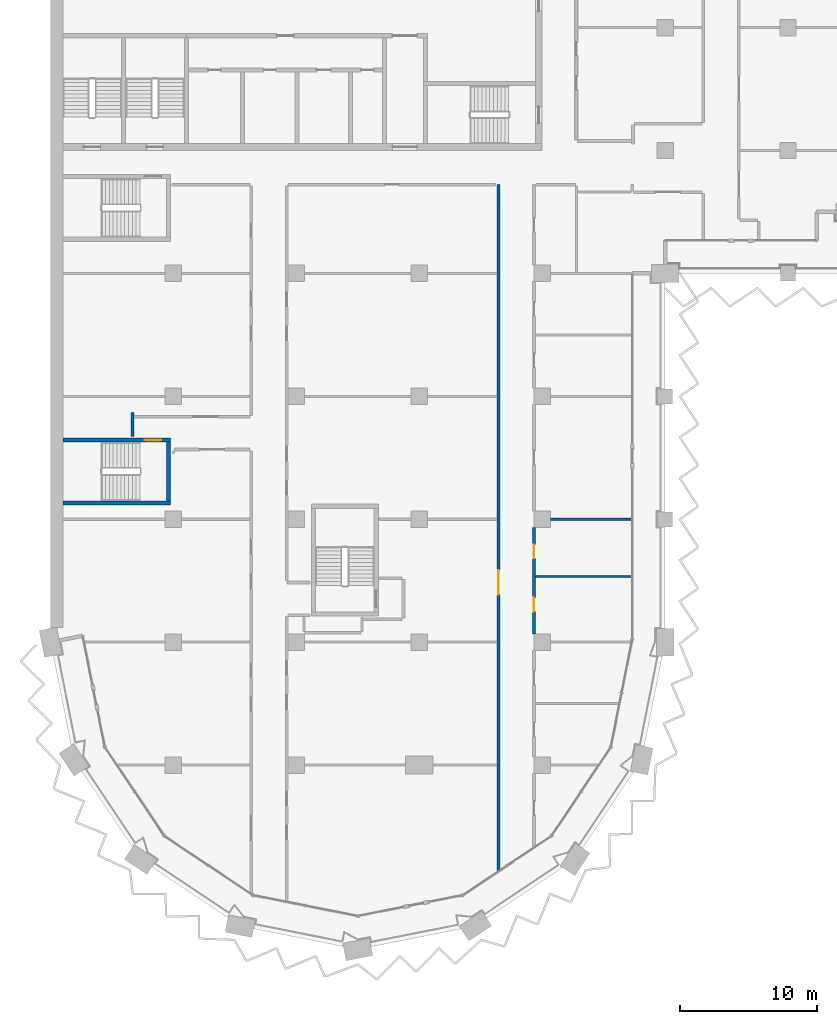
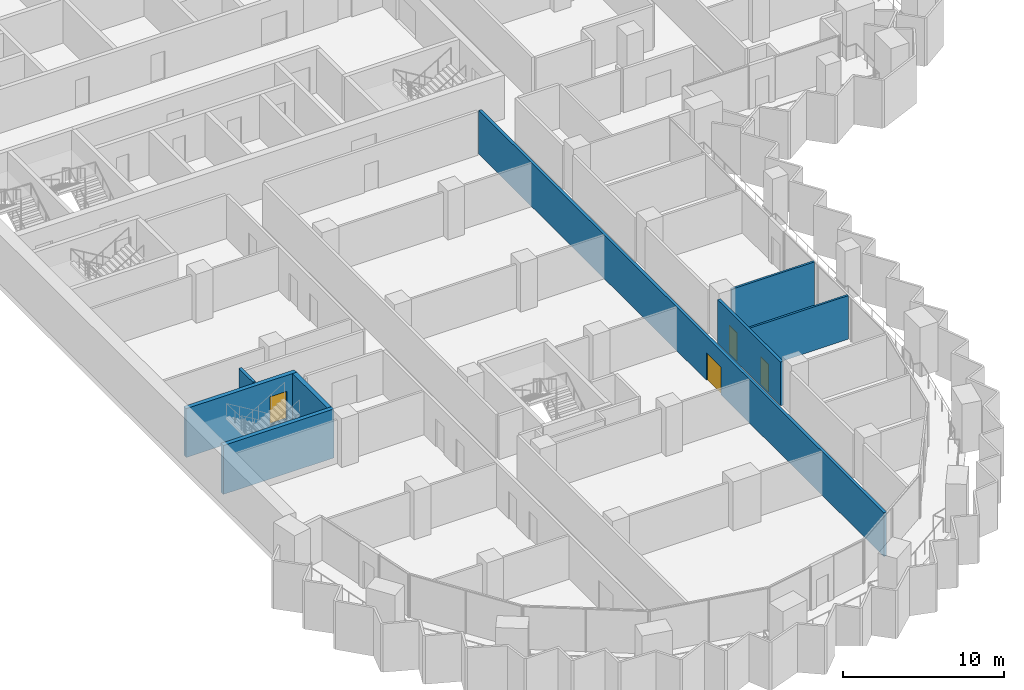
# One storey, part 9 of 22: 8 walls, 4 doors, 4 openings.
"""IFC4 building model written with IfcOpenShell, lengths in metres."""

from ifc_helpers import new_model, si_unit, direction, frame, frame_2d, origin, place, context, subcontext, project, spatial, rectangle, extrude, material, layer, layer_set, type_object, element, fill, save


model = new_model("IFC4")

# Units and contexts
model_context = context("Model", 3, precision=1e-05, world=origin(), true_north=direction((0.0, 1.0)))
body_context = subcontext(model_context, "Body", "Model", "MODEL_VIEW")
ifc_project = project(units=[si_unit("LENGTHUNIT", "METRE"), si_unit("AREAUNIT", "SQUARE_METRE"), si_unit("VOLUMEUNIT", "CUBIC_METRE"), si_unit("PLANEANGLEUNIT", "RADIAN"), si_unit("MASSUNIT", "GRAM", prefix="KILO")], contexts=[model_context])

# Site, building, storey
site_placement = place(None, origin())
site = spatial("IfcSite", under=ifc_project, at=site_placement, CompositionType="ELEMENT")
building_placement = place(site_placement, origin())
building = spatial("IfcBuilding", under=site, at=building_placement, Name="Hunhe Ridgeline Campus", CompositionType="ELEMENT")
storey_placement = place(building_placement, frame((0.0, 0.0, 133.800048828125)))
storey = spatial("IfcBuildingStorey", under=building, at=storey_placement, Name="L33", CompositionType="ELEMENT", Elevation=133.800048828125)

# Wall
ifc_material_1 = material(Name="Gypsum board partition")
ifc_layer_1 = layer(ifc_material_1, 0.199951171875)
ifc_layer_set_1 = layer_set([ifc_layer_1], Name="Corridor partition 200 gypsum board on steel studs")
wall_type_1 = type_object("IfcWallType", Name="Corridor partition 200 gypsum board on steel studs", PredefinedType="PARTITIONING", material=ifc_layer_set_1)
wall_1_placement = place(storey_placement, frame((6.0, 42.053955078125, 0.0), z_axis=(0.0, 0.0, 1.0), x_axis=(0.0, 1.0, 0.0)))
element("IfcWall", 1, at=wall_1_placement, inside=storey, type_object=wall_type_1, Name="F-L33-wall-059", PredefinedType="PARTITIONING", context=body_context, shape_type="SweptSolid", body=[
    extrude(rectangle(XDim=1.74609375, YDim=0.199951171875, at=frame_2d((0.873046875, 0.0))), origin(), (0.0, 0.0, 1.0), 3.300048828125),
])

# Wall, opening, door
wall_2_placement = place(storey_placement, frame((32.800048828125, 10.294189453125, 0.0), z_axis=(0.0, 0.0, 1.0), x_axis=(0.0, 1.0, 0.0)))
wall_2 = element("IfcWall", 2, at=wall_2_placement, inside=storey, type_object=wall_type_1, Name="F-L33-wall-068", PredefinedType="PARTITIONING", context=body_context, shape_type="SweptSolid", body=[
    extrude(rectangle(XDim=50.205810546875, YDim=0.199951171875, at=frame_2d((25.10302734375, 0.0))), origin(), (0.0, 0.0, 1.0), 3.300048828125),
])
opening_1_placement = place(wall_2_placement, frame((20.186279296875, 0.0, 0.0)))
opening_1 = element("IfcOpeningElement", 3, at=opening_1_placement, cuts=wall_2, Name="Opening RD2-012", PredefinedType="OPENING", context=body_context, shape_type="SweptSolid", body=[
    extrude(rectangle(XDim=1.800048828125, YDim=2.10009765625, at=frame_2d((0.89990234375, 1.050048828125))), frame((0.0, 0.10009765625, 0.0), z_axis=(0.0, -1.0, 0.0), x_axis=(1.0, 0.0, 0.0)), (0.0, 0.0, 1.0), 0.199951171875),
])
ifc_material_2 = material(Name="Timber door leaf", Category="wood")
door_type_1 = type_object("IfcDoorType", Name="Double fire door 1800x2100 timber FD60", OperationType="DOUBLE_DOOR_SINGLE_SWING", PredefinedType="DOOR", material=ifc_material_2)
door_1_placement = place(opening_1_placement, origin())
door_1 = element("IfcDoor", 4, at=door_1_placement, inside=storey, type_object=door_type_1, Name="F-L33-door-012", OperationType="DOUBLE_DOOR_SINGLE_SWING", OverallHeight=2.10009765625, OverallWidth=1.800048828125, PredefinedType="DOOR", context=body_context, shape_type="SweptSolid", body=[
    extrude(rectangle(XDim=1.800048828125, YDim=2.10009765625, at=frame_2d((0.89990234375, 1.050048828125))), frame((0.0, 0.02490234375, 0.0), z_axis=(0.0, -1.0, 0.0), x_axis=(1.0, 0.0, 0.0)), (0.0, 0.0, 1.0), 0.050048828125),
])
fill(opening_1, door_1)

# Wall, openings, doors
wall_3_placement = place(storey_placement, frame((35.39990234375, 35.39990234375, 0.0), z_axis=(0.0, 0.0, 1.0), x_axis=(0.0, -1.0, 0.0)))
wall_3 = element("IfcWall", 5, at=wall_3_placement, inside=storey, type_object=wall_type_1, Name="F-L33-wall-071", PredefinedType="PARTITIONING", context=body_context, shape_type="SweptSolid", body=[
    extrude(rectangle(XDim=7.7998046875, YDim=0.199951171875, at=frame_2d((3.89990234375, 0.0))), origin(), (0.0, 0.0, 1.0), 3.300048828125),
])
opening_2_placement = place(wall_3_placement, frame((5.161376953125, 0.0, 0.0)))
opening_2 = element("IfcOpeningElement", 6, at=opening_2_placement, cuts=wall_3, Name="Opening RD1-011", PredefinedType="OPENING", context=body_context, shape_type="SweptSolid", body=[
    extrude(rectangle(XDim=1.0, YDim=2.10009765625, at=frame_2d((0.5, 1.050048828125))), frame((0.0, 0.10009765625, 0.0), z_axis=(0.0, -1.0, 0.0), x_axis=(1.0, 0.0, 0.0)), (0.0, 0.0, 1.0), 0.199951171875),
])
opening_3_placement = place(wall_3_placement, frame((1.26123046875, 0.0, 0.0)))
opening_3 = element("IfcOpeningElement", 7, at=opening_3_placement, cuts=wall_3, Name="Opening RD1-014", PredefinedType="OPENING", context=body_context, shape_type="SweptSolid", body=[
    extrude(rectangle(XDim=1.0, YDim=2.10009765625, at=frame_2d((0.5, 1.050048828125))), frame((0.0, 0.10009765625, 0.0), z_axis=(0.0, -1.0, 0.0), x_axis=(1.0, 0.0, 0.0)), (0.0, 0.0, 1.0), 0.199951171875),
])
door_type_2 = type_object("IfcDoorType", Name="Single fire door 1000x2100 timber FD60", OperationType="NOTDEFINED", PredefinedType="DOOR", material=ifc_material_2)
door_2_placement = place(opening_2_placement, origin())
door_2 = element("IfcDoor", 8, at=door_2_placement, inside=storey, type_object=door_type_2, Name="F-L33-door-011", OperationType="SINGLE_SWING_LEFT", OverallHeight=2.10009765625, OverallWidth=1.0, PredefinedType="DOOR", context=body_context, shape_type="SweptSolid", body=[
    extrude(rectangle(XDim=1.0, YDim=2.10009765625, at=frame_2d((0.5, 1.050048828125))), frame((0.0, 0.02490234375, 0.0), z_axis=(0.0, -1.0, 0.0), x_axis=(1.0, 0.0, 0.0)), (0.0, 0.0, 1.0), 0.050048828125),
])
fill(opening_2, door_2)
door_3_placement = place(opening_3_placement, origin())
door_3 = element("IfcDoor", 9, at=door_3_placement, inside=storey, type_object=door_type_2, Name="F-L33-door-014", OperationType="SINGLE_SWING_LEFT", OverallHeight=2.10009765625, OverallWidth=1.0, PredefinedType="DOOR", context=body_context, shape_type="SweptSolid", body=[
    extrude(rectangle(XDim=1.0, YDim=2.10009765625, at=frame_2d((0.5, 1.050048828125))), frame((0.0, 0.02490234375, 0.0), z_axis=(0.0, -1.0, 0.0), x_axis=(1.0, 0.0, 0.0)), (0.0, 0.0, 1.0), 0.050048828125),
])
fill(opening_3, door_3)

# Walls
ifc_layer_2 = layer(ifc_material_1, 0.14990234375)
ifc_layer_set_2 = layer_set([ifc_layer_2], Name="Room partition 150 gypsum board on steel studs")
wall_type_2 = type_object("IfcWallType", Name="Room partition 150 gypsum board on steel studs", PredefinedType="PARTITIONING", material=ifc_layer_set_2)
wall_4_placement = place(storey_placement, frame((35.5, 31.800048828125, 0.0), z_axis=(0.0, 0.0, 1.0), x_axis=(1.0, 0.0, 0.0)))
element("IfcWall", 10, at=wall_4_placement, inside=storey, type_object=wall_type_2, Name="F-L33-wall-017", PredefinedType="PARTITIONING", context=body_context, shape_type="SweptSolid", body=[
    extrude(rectangle(XDim=7.044921875, YDim=0.14990234375, at=frame_2d((3.5224609375, 0.0))), origin(), (0.0, 0.0, 1.0), 3.300048828125),
])
wall_5_placement = place(storey_placement, frame((36.60009765625, 36.0, 0.0), z_axis=(0.0, 0.0, 1.0), x_axis=(1.0, 0.0, 0.0)))
element("IfcWall", 11, at=wall_5_placement, inside=storey, type_object=wall_type_2, Name="F-L33-wall-022", PredefinedType="PARTITIONING", context=body_context, shape_type="SweptSolid", body=[
    extrude(rectangle(XDim=5.94482421875, YDim=0.14990234375, at=frame_2d((2.972412109375, 0.0))), origin(), (0.0, 0.0, 1.0), 3.300048828125),
])
ifc_material_3 = material(Name="Concrete C70", Category="concrete")
ifc_layer_3 = layer(ifc_material_3, 0.300048828125)
ifc_layer_set_3 = layer_set([ifc_layer_3], Name="Stair wall 300 reinforced concrete C70")
wall_type_3 = type_object("IfcWallType", Name="Stair wall 300 reinforced concrete C70", PredefinedType="SOLIDWALL", material=ifc_layer_set_3)
wall_6_placement = place(storey_placement, frame((0.89990234375, 37.199951171875, -0.400146484375), z_axis=(0.0, 0.0, 1.0), x_axis=(1.0, 0.0, 0.0)))
element("IfcWall", 12, at=wall_6_placement, inside=storey, type_object=wall_type_3, Name="L33 core wall 3", PredefinedType="SOLIDWALL", context=body_context, shape_type="SweptSolid", body=[
    extrude(rectangle(XDim=7.900146484375, YDim=0.300048828125, at=frame_2d((3.9501953125, 0.0))), origin(), (0.0, 0.0, 1.0), 3.7001953125),
])

# Wall, opening, door
wall_7_placement = place(storey_placement, frame((0.89990234375, 41.800048828125, -0.400146484375), z_axis=(0.0, 0.0, 1.0), x_axis=(1.0, 0.0, 0.0)))
wall_7 = element("IfcWall", 13, at=wall_7_placement, inside=storey, type_object=wall_type_3, Name="L33 core wall 4", PredefinedType="SOLIDWALL", context=body_context, shape_type="SweptSolid", body=[
    extrude(rectangle(XDim=7.900146484375, YDim=0.300048828125, at=frame_2d((3.9501953125, 0.0))), origin(), (0.0, 0.0, 1.0), 3.7001953125),
])
opening_4_placement = place(wall_7_placement, frame((6.0, 0.0, 0.39990234375)))
opening_4 = element("IfcOpeningElement", 14, at=opening_4_placement, cuts=wall_7, Name="Opening CD21", PredefinedType="OPENING", context=body_context, shape_type="SweptSolid", body=[
    extrude(rectangle(XDim=1.199951171875, YDim=2.10009765625, at=frame_2d((0.60009765625, 1.050048828125))), frame((0.0, 0.14990234375, 0.0), z_axis=(0.0, -1.0, 0.0), x_axis=(1.0, 0.0, 0.0)), (0.0, 0.0, 1.0), 0.300048828125),
])
ifc_material_4 = material(Name="Hollow metal fire door leaf")
door_type_3 = type_object("IfcDoorType", Name="Stair door 1200x2100 FD60", OperationType="SINGLE_SWING_LEFT", PredefinedType="DOOR", material=ifc_material_4)
door_4_placement = place(opening_4_placement, origin())
door_4 = element("IfcDoor", 15, at=door_4_placement, inside=storey, type_object=door_type_3, Name="L33 door W1", OperationType="SINGLE_SWING_LEFT", OverallHeight=2.10009765625, OverallWidth=1.199951171875, PredefinedType="DOOR", context=body_context, shape_type="SweptSolid", body=[
    extrude(rectangle(XDim=1.199951171875, YDim=2.10009765625, at=frame_2d((0.60009765625, 1.050048828125))), frame((0.0, 0.02490234375, 0.0), z_axis=(0.0, -1.0, 0.0), x_axis=(1.0, 0.0, 0.0)), (0.0, 0.0, 1.0), 0.050048828125),
])
fill(opening_4, door_4)

# Wall
wall_8_placement = place(storey_placement, frame((8.64990234375, 37.35009765625, -0.400146484375), z_axis=(0.0, 0.0, 1.0), x_axis=(0.0, 1.0, 0.0)))
element("IfcWall", 16, at=wall_8_placement, inside=storey, type_object=wall_type_3, Name="L33 core wall 36", PredefinedType="SOLIDWALL", context=body_context, shape_type="SweptSolid", body=[
    extrude(rectangle(XDim=4.2998046875, YDim=0.300048828125, at=frame_2d((2.14990234375, 0.0))), origin(), (0.0, 0.0, 1.0), 3.7001953125),
])

save(model, "model.ifc")
